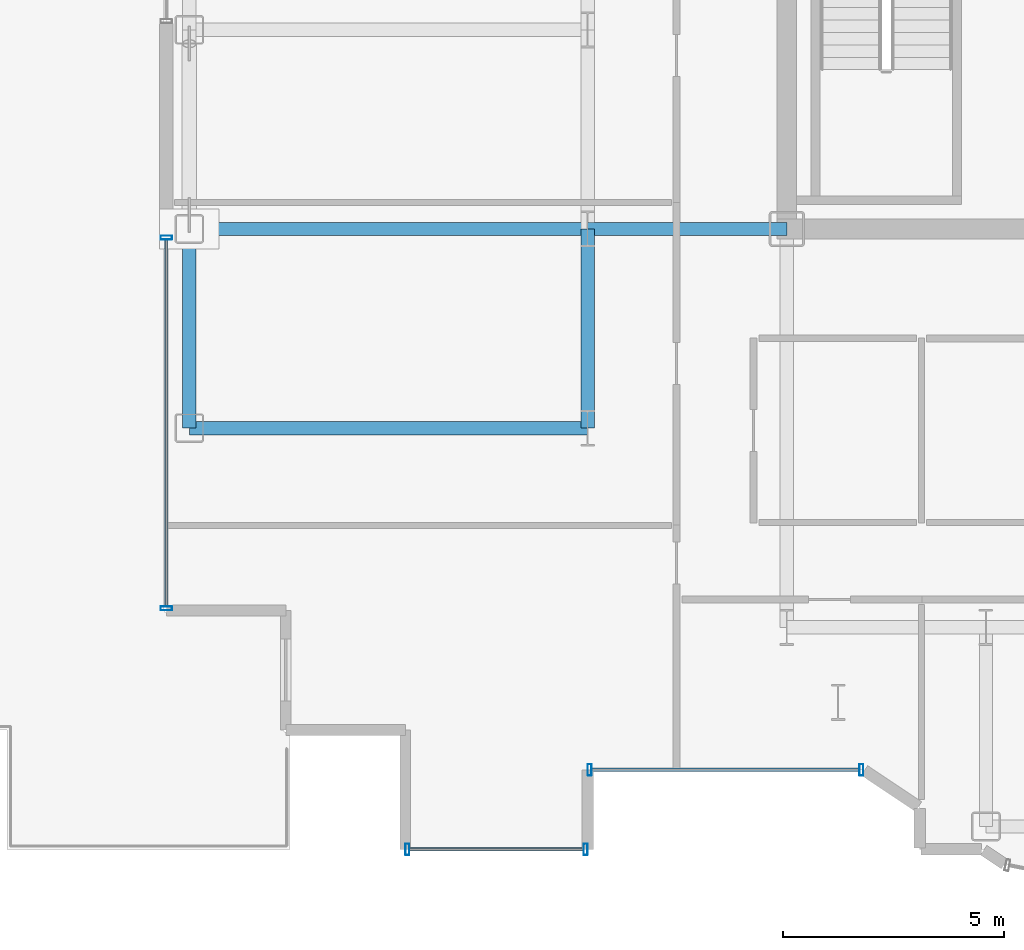
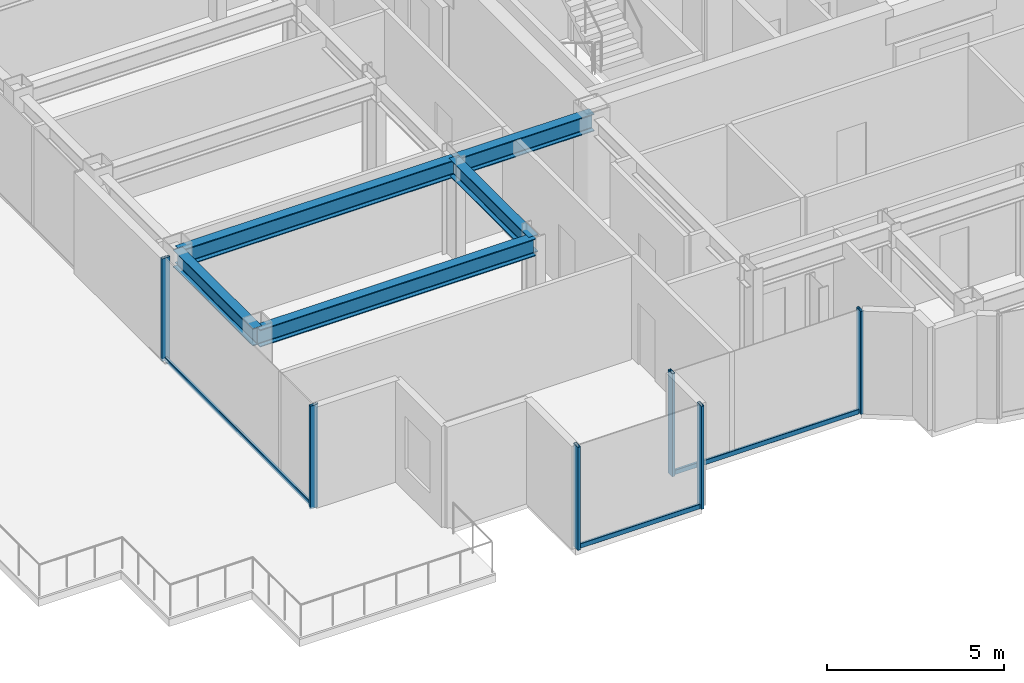
# One storey, part 2 of 21: 9 members, 5 beams, 3 elements without a shape of their own.
"""IFC4 building model written with IfcOpenShell, lengths in metres."""

from ifc_helpers import new_model, si_unit, direction, frame, origin, origin_2d, place, context, subcontext, project, spatial, hollow_rectangle, i_section, extrude, source, transform, mapped, material, layer, layer_set, material_profile, profile_set, type_object, element, aggregate, save


model = new_model("IFC4")

# Units and contexts
model_context = context("Model", 3, precision=1e-05, world=origin(), true_north=direction((0.0, 1.0)))
body_context = subcontext(model_context, "Body", "Model", "MODEL_VIEW")
ifc_project = project(units=[si_unit("LENGTHUNIT", "METRE"), si_unit("AREAUNIT", "SQUARE_METRE"), si_unit("VOLUMEUNIT", "CUBIC_METRE"), si_unit("PLANEANGLEUNIT", "RADIAN"), si_unit("MASSUNIT", "GRAM", prefix="KILO")], contexts=[model_context])

# Site, building, storey
site_placement = place(None, origin())
site = spatial("IfcSite", under=ifc_project, at=site_placement, CompositionType="ELEMENT")
building_placement = place(site_placement, origin())
building = spatial("IfcBuilding", under=site, at=building_placement, Name="Nefas-Gora Pilgrimage Tower", CompositionType="ELEMENT")
storey_placement = place(building_placement, frame((0.0, 0.0, 206.60009765625)))
storey = spatial("IfcBuildingStorey", under=building, at=storey_placement, Name="L51", CompositionType="ELEMENT", Elevation=206.60009765625)

# Beams
ifc_material_1 = material(Name="Steel S355", Category="steel")
ifc_material_profile_1 = material_profile(ifc_material_1, i_section(OverallWidth=0.300048828125, OverallDepth=0.60009765625, WebThickness=0.015380859375, FlangeThickness=0.030029296875, FilletRadius=0.027099609375, at=origin_2d()), Name="HEB 600")
ifc_profile_set_1 = profile_set([ifc_material_profile_1], Name="Steel S355")
beam_type_1 = type_object("IfcBeamType", Name="BM-SPN-HEB450", PredefinedType="SPANDREL", material=ifc_profile_set_1)
shared_shape_1 = source(origin(), body_context, "Body", "SweptSolid", [
    extrude(i_section(OverallWidth=0.300048828125, OverallDepth=0.60009765625, WebThickness=0.015380859375, FlangeThickness=0.030029296875, FilletRadius=0.027099609375, at=origin_2d()), origin(), (0.0, 0.0, 1.0), 4.5),
])
beam_placement = place(storey_placement, frame((-24.75, -13.5, 3.25), z_axis=(0.0, 1.0, 0.0), x_axis=(-1.0, 0.0, 0.0)))
element("IfcBeam", 1, at=beam_placement, inside=storey, type_object=beam_type_1, Name="L51 SP-03 beam", PredefinedType="SPANDREL", context=body_context, shape_type="MappedRepresentation", body=[
    mapped(shared_shape_1, transform((0.0, 0.0, 0.0), x_axis=(1.0, 0.0, 0.0), y_axis=(0.0, 1.0, 0.0), z_axis=(0.0, 0.0, 1.0), scale=1.0)),
])
ifc_material_profile_2 = material_profile(ifc_material_1, i_section(OverallWidth=0.300048828125, OverallDepth=0.60009765625, WebThickness=0.015380859375, FlangeThickness=0.030029296875, FilletRadius=0.027099609375, at=origin_2d()), Name="HEB 600")
ifc_profile_set_2 = profile_set([ifc_material_profile_2], Name="Steel S355")
beam_type_2 = type_object("IfcBeamType", Name="BM-GIR-HEB600", PredefinedType="BEAM", material=ifc_profile_set_2)
shared_shape_2 = source(origin(), body_context, "Body", "SweptSolid", [
    extrude(i_section(OverallWidth=0.300048828125, OverallDepth=0.60009765625, WebThickness=0.015380859375, FlangeThickness=0.030029296875, FilletRadius=0.027099609375, at=origin_2d()), origin(), (0.0, 0.0, 1.0), 9.0),
])
for number, where, z_axis, x_axis, name in (
    (2, (-24.75, -13.5, 3.25), (1.0, 0.0, 0.0), (0.0, 1.0, 0.0), "L51 G-04 beam"),
    (3, (-24.75, -9.0, 3.25), (1.0, 0.0, 0.0), (0.0, 1.0, 0.0), "L51 G-04 beam"),
):
    element("IfcBeam", number, at=place(storey_placement, frame(where, z_axis=z_axis, x_axis=x_axis)), inside=storey, type_object=beam_type_2, Name=name, PredefinedType="BEAM", context=body_context, shape_type="MappedRepresentation", body=[
        mapped(shared_shape_2, transform((0.0, 0.0, 0.0), x_axis=(1.0, 0.0, 0.0), y_axis=(0.0, 1.0, 0.0), z_axis=(0.0, 0.0, 1.0), scale=1.0)),
    ])
shared_shape_3 = source(origin(), body_context, "Body", "SweptSolid", [
    extrude(i_section(OverallWidth=0.300048828125, OverallDepth=0.60009765625, WebThickness=0.015380859375, FlangeThickness=0.030029296875, FilletRadius=0.027099609375, at=origin_2d()), origin(), (0.0, 0.0, 1.0), 4.5),
])
for number, where, z_axis, x_axis, name in (
    (4, (-15.75, -13.5, 3.25), (0.0, 1.0, 0.0), (-1.0, 0.0, 0.0), "L51 G-04 beam"),
    (5, (-15.75, -9.0, 3.25), (1.0, 0.0, 0.0), (0.0, 1.0, 0.0), "L51 G-04 beam"),
):
    element("IfcBeam", number, at=place(storey_placement, frame(where, z_axis=z_axis, x_axis=x_axis)), inside=storey, type_object=beam_type_2, Name=name, PredefinedType="BEAM", context=body_context, shape_type="MappedRepresentation", body=[
        mapped(shared_shape_3, transform((0.0, 0.0, 0.0), x_axis=(1.0, 0.0, 0.0), y_axis=(0.0, 1.0, 0.0), z_axis=(0.0, 0.0, 1.0), scale=1.0)),
    ])

# Curtain wall, members
ifc_material_2 = material(Name="Dark ceramic-fritted solar-control aluminium-glass curtain wall", Category="aluminium")
ifc_layer_1 = layer(ifc_material_2, 0.219970703125)
ifc_layer_set_1 = layer_set([ifc_layer_1], Name="Dark ceramic-fritted solar-control aluminium-glass curtain wall")
curtain_wall_type_1 = type_object("IfcCurtainWallType", Name="CW-SYS-5", PredefinedType="NOTDEFINED", material=ifc_layer_set_1)
curtain_wall_1_placement = place(storey_placement, origin())
curtain_wall_1 = element("IfcCurtainWall", 6, at=curtain_wall_1_placement, inside=storey, type_object=curtain_wall_type_1, Name="L51 Unitised Curtain Wall CW5", PredefinedType="NOTDEFINED")
ifc_material_3 = material(Name="Anodised architectural aluminium", Category="aluminium")
ifc_material_profile_3 = material_profile(ifc_material_3, hollow_rectangle(XDim=0.080078125, YDim=0.159912109375, WallThickness=0.00439453125, InnerFilletRadius=0.00439453125, OuterFilletRadius=0.009033203125, at=origin_2d()), Name="ALU TRANSOM 80x160")
ifc_profile_set_3 = profile_set([ifc_material_profile_3], Name="Anodised architectural aluminium")
member_type_1 = type_object("IfcMemberType", Name="CWM-TRN-5", PredefinedType="USERDEFINED", material=ifc_profile_set_3)
shared_shape_4 = source(origin(), body_context, "Body", "SweptSolid", [
    extrude(hollow_rectangle(XDim=0.080078125, YDim=0.159912109375, WallThickness=0.00439453125, InnerFilletRadius=0.00439453125, OuterFilletRadius=0.009033203125, at=origin_2d()), origin(), (0.0, 0.0, 1.0), 6.052001953125),
])
member_1_placement = place(storey_placement, frame((-15.659912109375, -21.219970703125, 0.0498046875), z_axis=(1.0, 0.0, 0.0), x_axis=(0.0, 1.0, 0.0)))
member_1 = element("IfcMember", 7, at=member_1_placement, type_object=member_type_1, Name="CW5 Spandrel Transom", ObjectType="TRANSOM", PredefinedType="USERDEFINED", context=body_context, shape_type="MappedRepresentation", body=[
    mapped(shared_shape_4, transform((0.0, 0.0, 0.0), x_axis=(1.0, 0.0, 0.0), y_axis=(0.0, 1.0, 0.0), z_axis=(0.0, 0.0, 1.0), scale=1.0)),
])
ifc_material_profile_4 = material_profile(ifc_material_3, hollow_rectangle(XDim=0.090087890625, YDim=0.260009765625, WallThickness=0.006103515625, InnerFilletRadius=0.006103515625, OuterFilletRadius=0.011962890625, at=origin_2d()), Name="ALU MULLION 90x260")
ifc_profile_set_4 = profile_set([ifc_material_profile_4], Name="Anodised architectural aluminium")
member_type_2 = type_object("IfcMemberType", Name="CWM-MUL-5", PredefinedType="MULLION", material=ifc_profile_set_4)
shared_shape_5 = source(origin(), body_context, "Body", "SweptSolid", [
    extrude(hollow_rectangle(XDim=0.090087890625, YDim=0.260009765625, WallThickness=0.006103515625, InnerFilletRadius=0.006103515625, OuterFilletRadius=0.011962890625, at=origin_2d()), origin(), (0.0, 0.0, 1.0), 3.5498046875),
])
member_2_placement = place(storey_placement, frame((-15.705078125, -21.219970703125, 0.0), z_axis=(0.0, 0.0, 1.0), x_axis=(1.0, 0.0, 0.0)))
member_2 = element("IfcMember", 8, at=member_2_placement, type_object=member_type_2, Name="CW5 Mullion 1", PredefinedType="MULLION", context=body_context, shape_type="MappedRepresentation", body=[
    mapped(shared_shape_5, transform((0.0, 0.0, 0.0), x_axis=(1.0, 0.0, 0.0), y_axis=(0.0, 1.0, 0.0), z_axis=(0.0, 0.0, 1.0), scale=1.0)),
])
member_3_placement = place(storey_placement, frame((-9.56298828125, -21.219970703125, 0.0), z_axis=(0.0, 0.0, 1.0), x_axis=(1.0, 0.0, 0.0)))
member_3 = element("IfcMember", 9, at=member_3_placement, type_object=member_type_2, Name="CW5 Mullion 2", PredefinedType="MULLION", context=body_context, shape_type="MappedRepresentation", body=[
    mapped(shared_shape_5, transform((0.0, 0.0, 0.0), x_axis=(1.0, 0.0, 0.0), y_axis=(0.0, 1.0, 0.0), z_axis=(0.0, 0.0, 1.0), scale=1.0)),
])
aggregate(curtain_wall_1, [member_2, member_3, member_1])

ifc_layer_2 = layer(ifc_material_2, 0.219970703125)
ifc_layer_set_2 = layer_set([ifc_layer_2], Name="Dark ceramic-fritted solar-control aluminium-glass curtain wall")
curtain_wall_type_2 = type_object("IfcCurtainWallType", Name="CW-SYS-3", PredefinedType="NOTDEFINED", material=ifc_layer_set_2)
curtain_wall_2_placement = place(storey_placement, origin())
curtain_wall_2 = element("IfcCurtainWall", 10, at=curtain_wall_2_placement, inside=storey, type_object=curtain_wall_type_2, Name="L51 Unitised Curtain Wall CW3", PredefinedType="NOTDEFINED")
ifc_material_profile_5 = material_profile(ifc_material_3, hollow_rectangle(XDim=0.080078125, YDim=0.159912109375, WallThickness=0.00439453125, InnerFilletRadius=0.00439453125, OuterFilletRadius=0.009033203125, at=origin_2d()), Name="ALU TRANSOM 80x160")
ifc_profile_set_5 = profile_set([ifc_material_profile_5], Name="Anodised architectural aluminium")
member_type_3 = type_object("IfcMemberType", Name="CWM-TRN-3", PredefinedType="USERDEFINED", material=ifc_profile_set_5)
shared_shape_6 = source(origin(), body_context, "Body", "SweptSolid", [
    extrude(hollow_rectangle(XDim=0.080078125, YDim=0.159912109375, WallThickness=0.00439453125, InnerFilletRadius=0.00439453125, OuterFilletRadius=0.009033203125, at=origin_2d()), origin(), (0.0, 0.0, 1.0), 8.2900390625),
])
member_4_placement = place(storey_placement, frame((-25.27001953125, -9.239990234375, 0.0498046875), z_axis=(0.0, -1.0, 0.0), x_axis=(1.0, 0.0, 0.0)))
member_4 = element("IfcMember", 11, at=member_4_placement, type_object=member_type_3, Name="CW3 Spandrel Transom", ObjectType="TRANSOM", PredefinedType="USERDEFINED", context=body_context, shape_type="MappedRepresentation", body=[
    mapped(shared_shape_6, transform((0.0, 0.0, 0.0), x_axis=(1.0, 0.0, 0.0), y_axis=(0.0, 1.0, 0.0), z_axis=(0.0, 0.0, 1.0), scale=1.0)),
])
ifc_material_profile_6 = material_profile(ifc_material_3, hollow_rectangle(XDim=0.090087890625, YDim=0.260009765625, WallThickness=0.006103515625, InnerFilletRadius=0.006103515625, OuterFilletRadius=0.011962890625, at=origin_2d()), Name="ALU MULLION 90x260")
ifc_profile_set_6 = profile_set([ifc_material_profile_6], Name="Anodised architectural aluminium")
member_type_4 = type_object("IfcMemberType", Name="CWM-MUL-3", PredefinedType="MULLION", material=ifc_profile_set_6)
shared_shape_7 = source(origin(), body_context, "Body", "SweptSolid", [
    extrude(hollow_rectangle(XDim=0.090087890625, YDim=0.260009765625, WallThickness=0.006103515625, InnerFilletRadius=0.006103515625, OuterFilletRadius=0.011962890625, at=origin_2d()), origin(), (0.0, 0.0, 1.0), 3.5498046875),
])
member_5_placement = place(storey_placement, frame((-25.27001953125, -9.195068359375, 0.0), z_axis=(0.0, 0.0, 1.0), x_axis=(0.0, -1.0, 0.0)))
member_5 = element("IfcMember", 12, at=member_5_placement, type_object=member_type_4, Name="CW3 Mullion 1", PredefinedType="MULLION", context=body_context, shape_type="MappedRepresentation", body=[
    mapped(shared_shape_7, transform((0.0, 0.0, 0.0), x_axis=(1.0, 0.0, 0.0), y_axis=(0.0, 1.0, 0.0), z_axis=(0.0, 0.0, 1.0), scale=1.0)),
])
member_6_placement = place(storey_placement, frame((-25.27001953125, -17.574951171875, 0.0), z_axis=(0.0, 0.0, 1.0), x_axis=(0.0, -1.0, 0.0)))
member_6 = element("IfcMember", 13, at=member_6_placement, type_object=member_type_4, Name="CW3 Mullion 2", PredefinedType="MULLION", context=body_context, shape_type="MappedRepresentation", body=[
    mapped(shared_shape_7, transform((0.0, 0.0, 0.0), x_axis=(1.0, 0.0, 0.0), y_axis=(0.0, 1.0, 0.0), z_axis=(0.0, 0.0, 1.0), scale=1.0)),
])
aggregate(curtain_wall_2, [member_5, member_6, member_4])

curtain_wall_3_placement = place(storey_placement, origin())
curtain_wall_3 = element("IfcCurtainWall", 14, at=curtain_wall_3_placement, inside=storey, type_object=curtain_wall_type_2, Name="L51 Unitised Curtain Wall CW3", PredefinedType="NOTDEFINED")
member_7_placement = place(storey_placement, frame((-19.824951171875, -23.02001953125, 0.0), z_axis=(0.0, 0.0, 1.0), x_axis=(1.0, 0.0, 0.0)))
member_7 = element("IfcMember", 15, at=member_7_placement, type_object=member_type_4, Name="CW3 Mullion 1", PredefinedType="MULLION", context=body_context, shape_type="MappedRepresentation", body=[
    mapped(shared_shape_7, transform((0.0, 0.0, 0.0), x_axis=(1.0, 0.0, 0.0), y_axis=(0.0, 1.0, 0.0), z_axis=(0.0, 0.0, 1.0), scale=1.0)),
])
member_8_placement = place(storey_placement, frame((-15.794921875, -23.02001953125, 0.0), z_axis=(0.0, 0.0, 1.0), x_axis=(1.0, 0.0, 0.0)))
member_8 = element("IfcMember", 16, at=member_8_placement, type_object=member_type_4, Name="CW3 Mullion 2", PredefinedType="MULLION", context=body_context, shape_type="MappedRepresentation", body=[
    mapped(shared_shape_7, transform((0.0, 0.0, 0.0), x_axis=(1.0, 0.0, 0.0), y_axis=(0.0, 1.0, 0.0), z_axis=(0.0, 0.0, 1.0), scale=1.0)),
])
shared_shape_8 = source(origin(), body_context, "Body", "SweptSolid", [
    extrude(hollow_rectangle(XDim=0.080078125, YDim=0.159912109375, WallThickness=0.00439453125, InnerFilletRadius=0.00439453125, OuterFilletRadius=0.009033203125, at=origin_2d()), origin(), (0.0, 0.0, 1.0), 3.93994140625),
])
member_9_placement = place(storey_placement, frame((-19.780029296875, -23.02001953125, 0.0498046875), z_axis=(1.0, 0.0, 0.0), x_axis=(0.0, 1.0, 0.0)))
member_9 = element("IfcMember", 17, at=member_9_placement, type_object=member_type_3, Name="CW3 Spandrel Transom", ObjectType="TRANSOM", PredefinedType="USERDEFINED", context=body_context, shape_type="MappedRepresentation", body=[
    mapped(shared_shape_8, transform((0.0, 0.0, 0.0), x_axis=(1.0, 0.0, 0.0), y_axis=(0.0, 1.0, 0.0), z_axis=(0.0, 0.0, 1.0), scale=1.0)),
])
aggregate(curtain_wall_3, [member_7, member_8, member_9])

save(model, "model.ifc")
